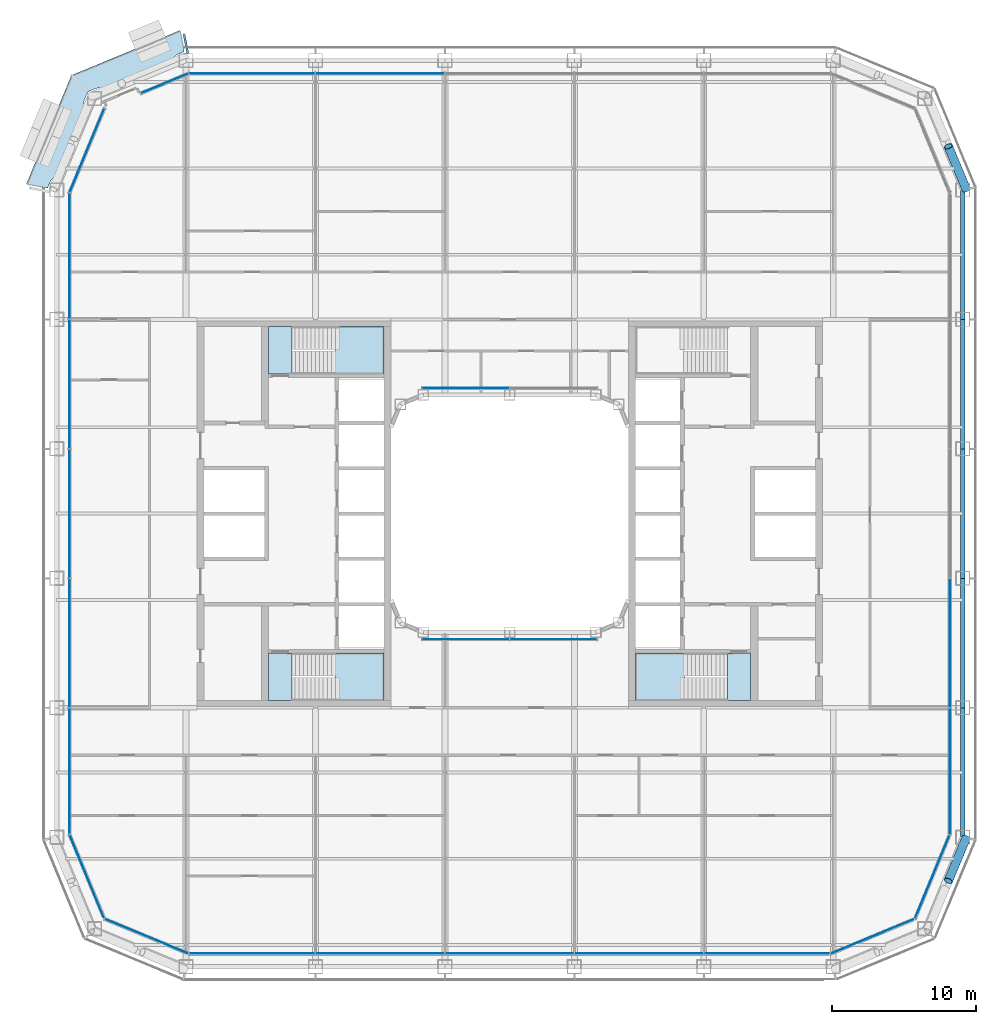
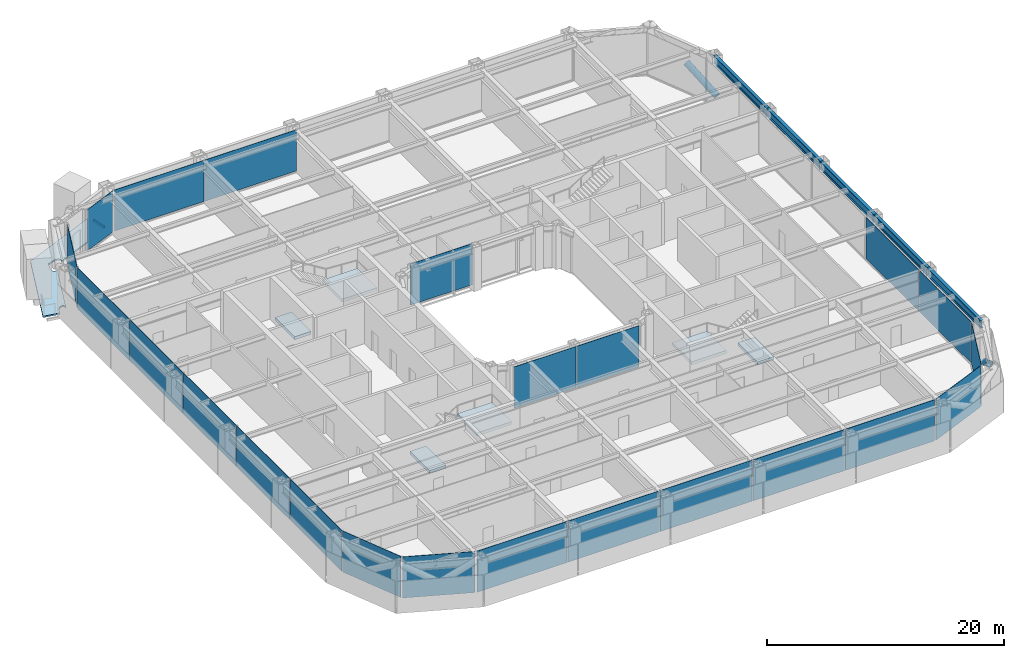
# One storey, part 11 of 28: 23 plates, 7 slabs, 6 beams, 2 members, 15 elements without a shape of their own.
"""IFC4 building model written with IfcOpenShell, lengths in metres."""

from ifc_helpers import new_model, si_unit, direction, frame, origin, origin_2d, place, context, subcontext, project, spatial, polyline, rectangle, hollow_rectangle, hollow_circle, i_section, outline, extrude, material, layer, layer_set, material_profile, profile_set, type_object, element, aggregate, save


model = new_model("IFC4")

# Units and contexts
model_context = context("Model", 3, precision=1e-05, world=origin(), true_north=direction((0.0, 1.0)))
body_context = subcontext(model_context, "Body", "Model", "MODEL_VIEW")
ifc_project = project(units=[si_unit("LENGTHUNIT", "METRE"), si_unit("AREAUNIT", "SQUARE_METRE"), si_unit("VOLUMEUNIT", "CUBIC_METRE"), si_unit("PLANEANGLEUNIT", "RADIAN"), si_unit("MASSUNIT", "GRAM", prefix="KILO")], contexts=[model_context])

# Site, building, storey
site_placement = place(None, origin())
site = spatial("IfcSite", under=ifc_project, at=site_placement, CompositionType="ELEMENT")
building_placement = place(site_placement, origin())
building = spatial("IfcBuilding", under=site, at=building_placement, Name="Siwar Civic Tower", CompositionType="ELEMENT")
storey_placement = place(building_placement, frame((0.0, 0.0, 85.199951171875)))
storey = spatial("IfcBuildingStorey", under=building, at=storey_placement, Name="L18", CompositionType="ELEMENT", Elevation=85.199951171875)

# Beam
ifc_material_1 = material(Name="Steel S355", Category="steel")
ifc_material_profile_1 = material_profile(ifc_material_1, hollow_rectangle(XDim=0.14990234375, YDim=0.25, WallThickness=0.010009765625, at=origin_2d()), Name="RHS250x150x10")
ifc_profile_set_1 = profile_set([ifc_material_profile_1], Name="Steel S355")
beam_type_1 = type_object("IfcBeamType", Name="ENV-BALCONY ARM", PredefinedType="BEAM", material=ifc_profile_set_1)
beam_placement = place(storey_placement, frame((-22.375244140625, 32.0, -0.27490234375), z_axis=(-0.194977678848, 0.980807679798, 0.0), x_axis=(-0.980807679798, -0.194977678848, 0.0)))
element("IfcBeam", 1, at=beam_placement, inside=storey, type_object=beam_type_1, Name="Balcony cantilever beam NW 1", PredefinedType="BEAM", context=body_context, shape_type="SweptSolid", body=[
    extrude(hollow_rectangle(XDim=0.14990234375, YDim=0.25, WallThickness=0.010009765625, at=origin_2d()), origin(), (0.0, 0.0, 1.0), 1.361083984375),
])

# Members
ifc_material_2 = material(Name="Steel S355", Category="steel")
ifc_material_profile_2 = material_profile(ifc_material_2, hollow_circle(Radius=0.304931640625, WallThickness=0.030029296875, at=origin_2d()), Name="CHS610x30")
ifc_profile_set_2 = profile_set([ifc_material_profile_2], Name="Steel S355")
member_type = type_object("IfcMemberType", Name="STR-BR-CHS610x30", PredefinedType="BRACE", material=ifc_profile_set_2)
for number, where, z_axis, x_axis, name in (
    (2, (31.7451171875, -22.548828125, 0.0), (-0.323882123145, -0.777533059308, 0.539020140617), (0.923114847559, -0.384524353215, 0.0), "L18/brc/ASE1-17-0-2"),
    (3, (31.7451171875, 22.548828125, 0.0), (-0.323882123145, 0.777533059308, 0.539020140617), (-0.923114847559, -0.384524353215, 0.0), "L18/brc/ANE1-17-0-4"),
):
    element("IfcMember", number, at=place(storey_placement, frame(where, z_axis=z_axis, x_axis=x_axis)), inside=storey, type_object=member_type, Name=name, PredefinedType="BRACE", context=body_context, shape_type="SweptSolid", body=[
        extrude(hollow_circle(Radius=0.304931640625, WallThickness=0.030029296875, at=origin_2d()), origin(), (0.0, 0.0, 1.0), 3.843505859375),
    ])

# Beams
ifc_material_3 = material(Name="Steel S355", Category="steel")
ifc_material_profile_3 = material_profile(ifc_material_3, i_section(OverallWidth=0.302978515625, OverallDepth=0.81396484375, WebThickness=0.02099609375, FlangeThickness=0.0400390625, FilletRadius=0.030029296875, at=origin_2d()), Name="HEM800")
ifc_profile_set_3 = profile_set([ifc_material_profile_3], Name="Steel S355")
beam_type_2 = type_object("IfcBeamType", Name="STR-SB-HEM800", PredefinedType="BEAM", material=ifc_profile_set_3)
for number, where, z_axis, x_axis, name in (
    (4, (31.5, -22.5, 3.943115234375), (0.0, 1.0, 0.0), (-1.0, 0.0, 0.0), "L18/bm/SE-0"),
    (5, (31.5, -13.5, 3.943115234375), (0.0, 1.0, 0.0), (-1.0, 0.0, 0.0), "L18/bm/SE-1"),
    (6, (31.5, -4.5, 3.943115234375), (0.0, 1.0, 0.0), (-1.0, 0.0, 0.0), "L18/bm/SE-2"),
    (7, (31.5, 4.5, 3.943115234375), (0.0, 1.0, 0.0), (-1.0, 0.0, 0.0), "L18/bm/SE-3"),
    (8, (31.5, 13.5, 3.943115234375), (0.0, 1.0, 0.0), (-1.0, 0.0, 0.0), "L18/bm/SE-4"),
):
    element("IfcBeam", number, at=place(storey_placement, frame(where, z_axis=z_axis, x_axis=x_axis)), inside=storey, type_object=beam_type_2, Name=name, PredefinedType="BEAM", context=body_context, shape_type="SweptSolid", body=[
        extrude(i_section(OverallWidth=0.302978515625, OverallDepth=0.81396484375, WebThickness=0.02099609375, FlangeThickness=0.0400390625, FilletRadius=0.030029296875, at=origin_2d()), origin(), (0.0, 0.0, 1.0), 9.0),
    ])

# Stair, slabs
ifc_material_4 = material(Name="Concrete C40/50", Category="concrete")
stair_type = type_object("IfcStairType", Name="CORE-STAIR", PredefinedType="TWO_STRAIGHT_RUN_STAIR", material=ifc_material_4)
stair_1_placement = place(storey_placement, origin())
stair_1 = element("IfcStair", 9, at=stair_1_placement, inside=storey, type_object=stair_type, Name="Exit stair ST1", PredefinedType="TWO_STRAIGHT_RUN_STAIR")
ifc_material_5 = material(Name="Concrete C40/50", Category="concrete")
ifc_layer_1 = layer(ifc_material_5, 0.300048828125)
ifc_layer_set_1 = layer_set([ifc_layer_1], Name="Concrete C40/50")
slab_type_1 = type_object("IfcSlabType", Name="CORE-STAIR-LANDING", PredefinedType="LANDING", material=ifc_layer_set_1)
slab_1_placement = place(storey_placement, frame((0.0, 0.0, -0.300048828125)))
slab_1 = element("IfcSlab", 10, at=slab_1_placement, type_object=slab_type_1, Name="ST1 landing 1", PredefinedType="LANDING", context=body_context, shape_type="SweptSolid", body=[
    extrude(outline(polyline([(-15.14990234375, 13.0), (-16.75, 13.0), (-16.75, 9.699951171875), (-15.14990234375, 9.699951171875), (-15.14990234375, 13.0)])), origin(), (0.0, 0.0, 1.0), 0.300048828125),
])
slab_2_placement = place(storey_placement, frame((0.0, 0.0, 1.949951171875)))
slab_2 = element("IfcSlab", 11, at=slab_2_placement, type_object=slab_type_1, Name="ST1 landing 2", PredefinedType="LANDING", context=body_context, shape_type="SweptSolid", body=[
    extrude(outline(polyline([(-8.75, 13.0), (-12.139892578125, 13.0), (-12.139892578125, 9.699951171875), (-8.75, 9.699951171875), (-8.75, 13.0)])), origin(), (0.0, 0.0, 1.0), 0.300048828125),
])
aggregate(stair_1, [slab_1, slab_2])

stair_2_placement = place(storey_placement, origin())
stair_2 = element("IfcStair", 12, at=stair_2_placement, inside=storey, type_object=stair_type, Name="Exit stair ST2", PredefinedType="TWO_STRAIGHT_RUN_STAIR")
slab_3_placement = place(storey_placement, frame((0.0, 0.0, -0.300048828125)))
slab_3 = element("IfcSlab", 13, at=slab_3_placement, type_object=slab_type_1, Name="ST2 landing 1", PredefinedType="LANDING", context=body_context, shape_type="SweptSolid", body=[
    extrude(outline(polyline([(-15.14990234375, -9.699951171875), (-16.75, -9.699951171875), (-16.75, -13.0), (-15.14990234375, -13.0), (-15.14990234375, -9.699951171875)])), origin(), (0.0, 0.0, 1.0), 0.300048828125),
])
slab_4_placement = place(storey_placement, frame((0.0, 0.0, 1.949951171875)))
slab_4 = element("IfcSlab", 14, at=slab_4_placement, type_object=slab_type_1, Name="ST2 landing 2", PredefinedType="LANDING", context=body_context, shape_type="SweptSolid", body=[
    extrude(outline(polyline([(-8.75, -9.699951171875), (-12.139892578125, -9.699951171875), (-12.139892578125, -13.0), (-8.75, -13.0), (-8.75, -9.699951171875)])), origin(), (0.0, 0.0, 1.0), 0.300048828125),
])
aggregate(stair_2, [slab_3, slab_4])

stair_3_placement = place(storey_placement, origin())
stair_3 = element("IfcStair", 15, at=stair_3_placement, inside=storey, type_object=stair_type, Name="Exit stair ST4", PredefinedType="TWO_STRAIGHT_RUN_STAIR")
slab_5_placement = place(storey_placement, frame((0.0, 0.0, -0.300048828125)))
slab_5 = element("IfcSlab", 16, at=slab_5_placement, type_object=slab_type_1, Name="ST4 landing 1", PredefinedType="LANDING", context=body_context, shape_type="SweptSolid", body=[
    extrude(outline(polyline([(15.14990234375, -13.0), (16.75, -13.0), (16.75, -9.699951171875), (15.14990234375, -9.699951171875), (15.14990234375, -13.0)])), origin(), (0.0, 0.0, 1.0), 0.300048828125),
])
slab_6_placement = place(storey_placement, frame((0.0, 0.0, 1.949951171875)))
slab_6 = element("IfcSlab", 17, at=slab_6_placement, type_object=slab_type_1, Name="ST4 landing 2", PredefinedType="LANDING", context=body_context, shape_type="SweptSolid", body=[
    extrude(outline(polyline([(8.75, -13.0), (12.139892578125, -13.0), (12.139892578125, -9.699951171875), (8.75, -9.699951171875), (8.75, -13.0)])), origin(), (0.0, 0.0, 1.0), 0.300048828125),
])
aggregate(stair_3, [slab_5, slab_6])

# Slab
ifc_material_6 = material(Name="Concrete C40/50", Category="concrete")
ifc_layer_2 = layer(ifc_material_6, 0.14990234375)
ifc_layer_set_2 = layer_set([ifc_layer_2], Name="Concrete C40/50")
slab_type_2 = type_object("IfcSlabType", Name="ENV-BALCONY DECK 150", PredefinedType="FLOOR", material=ifc_layer_set_2)
slab_7_placement = place(storey_placement, frame((0.0, 0.0, -0.1494140625)))
element("IfcSlab", 18, at=slab_7_placement, inside=storey, type_object=slab_type_2, Name="Tree balcony deck NW", PredefinedType="FLOOR", context=body_context, shape_type="SweptSolid", body=[
    extrude(outline(polyline([(-29.19189453125, 29.38916015625), (-29.186767578125, 29.3916015625), (-29.186767578125, 29.3916015625), (-29.17138671875, 29.39794921875), (-29.14794921875, 29.40771484375), (-28.9306640625, 29.498291015625), (-28.891845703125, 29.514404296875), (-28.884033203125, 29.517578125), (-28.881591796875, 29.5185546875), (-28.814208984375, 29.5439453125), (-28.80908203125, 29.545654296875), (-28.739990234375, 29.56591796875), (-28.73486328125, 29.567138671875), (-28.66455078125, 29.58251953125), (-28.6572265625, 29.583984375), (-28.59375, 29.591064453125), (-28.59130859375, 29.59130859375), (-28.51953125, 29.59716796875), (-28.51318359375, 29.597412109375), (-28.506591796875, 29.59716796875), (-28.45068359375, 29.592041015625), (-28.445068359375, 29.59130859375), (-28.389404296875, 29.58203125), (-28.38427734375, 29.5810546875), (-28.32958984375, 29.56787109375), (-28.3232421875, 29.566162109375), (-28.3173828125, 29.56396484375), (-28.271484375, 29.544189453125), (-28.264404296875, 29.540771484375), (-28.2578125, 29.53662109375), (-28.221435546875, 29.5107421875), (-28.216552734375, 29.507080078125), (-28.2119140625, 29.502685546875), (-28.20751953125, 29.498291015625), (-28.180908203125, 29.467041015625), (-28.1767578125, 29.46142578125), (-28.173095703125, 29.45556640625), (-28.169921875, 29.449462890625), (-28.1533203125, 29.413330078125), (-28.151123046875, 29.408447265625), (-28.13720703125, 29.37109375), (-28.135009765625, 29.364501953125), (-28.133544921875, 29.35791015625), (-28.132568359375, 29.35107421875), (-28.129150390625, 29.31005859375), (-28.12890625, 29.3037109375), (-28.129150390625, 29.297607421875), (-28.1298828125, 29.29150390625), (-28.137451171875, 29.247314453125), (-28.13916015625, 29.23974609375), (-28.1416015625, 29.232177734375), (-28.159912109375, 29.185791015625), (-28.16259765625, 29.179931640625), (-28.16552734375, 29.17431640625), (-28.182861328125, 29.14599609375), (-23.210693359375, 31.20556640625), (-23.260986328125, 31.217529296875), (-23.26708984375, 31.21923828125), (-23.273193359375, 31.2216796875), (-23.31884765625, 31.2412109375), (-23.325927734375, 31.244873046875), (-23.332763671875, 31.2490234375), (-23.369140625, 31.274658203125), (-23.3740234375, 31.278564453125), (-23.378662109375, 31.28271484375), (-23.3828125, 31.287353515625), (-23.40966796875, 31.318603515625), (-23.413818359375, 31.323974609375), (-23.41748046875, 31.329833984375), (-23.420654296875, 31.3359375), (-23.437255859375, 31.3720703125), (-23.439453125, 31.376953125), (-23.453369140625, 31.414306640625), (-23.45556640625, 31.4208984375), (-23.45703125, 31.427734375), (-23.4580078125, 31.4345703125), (-23.46142578125, 31.4755859375), (-23.461669921875, 31.481689453125), (-23.461181640625, 31.488037109375), (-23.46044921875, 31.494140625), (-23.453125, 31.5380859375), (-23.451416015625, 31.5458984375), (-23.448974609375, 31.55322265625), (-23.4306640625, 31.599609375), (-23.427978515625, 31.60546875), (-23.4248046875, 31.611083984375), (-23.3955078125, 31.659423828125), (-23.392578125, 31.66357421875), (-23.360107421875, 31.709716796875), (-23.353515625, 31.717529296875), (-23.309814453125, 31.764404296875), (-23.30615234375, 31.76806640625), (-23.25927734375, 31.8115234375), (-23.255126953125, 31.815185546875), (-23.205322265625, 31.85498046875), (-23.198974609375, 31.859619140625), (-23.138671875, 31.898681640625), (-23.134033203125, 31.9013671875), (-23.07080078125, 31.93603515625), (-23.06591796875, 31.9384765625), (-23.0, 31.968505859375), (-23.0, 32.0), (-22.92529296875, 32.0), (-22.70263671875, 32.0927734375), (-22.69482421875, 32.095947265625), (-22.69482421875, 32.095947265625), (-22.688232421875, 32.098388671875), (-22.662109375, 32.1064453125), (-22.6552734375, 32.108154296875), (-22.648193359375, 32.109375), (-22.621826171875, 32.1123046875), (-22.917724609375, 33.60009765625), (-30.47119140625, 30.47119140625), (-33.60009765625, 22.917724609375), (-32.1083984375, 22.62109375), (-32.1083984375, 22.6259765625), (-32.107421875, 22.6484375), (-32.107421875, 22.649658203125), (-32.107421875, 22.6513671875), (-32.10693359375, 22.655029296875), (-32.106689453125, 22.656982421875), (-32.1064453125, 22.65771484375), (-32.1064453125, 22.658447265625), (-32.104736328125, 22.66552734375), (-32.098876953125, 22.686279296875), (-32.095947265625, 22.69482421875), (-32.0927734375, 22.70263671875), (-32.085693359375, 22.719970703125), (-32.0830078125, 22.72607421875), (-32.0732421875, 22.749267578125), (-32.0693359375, 22.7587890625), (-32.0, 22.92529296875), (-32.0, 23.0), (-31.968505859375, 23.0), (-31.9384765625, 23.06591796875), (-31.93603515625, 23.07080078125), (-31.9013671875, 23.134033203125), (-31.898681640625, 23.138671875), (-31.859619140625, 23.198974609375), (-31.85498046875, 23.205322265625), (-31.815185546875, 23.255126953125), (-31.8115234375, 23.25927734375), (-31.76806640625, 23.30615234375), (-31.764404296875, 23.309814453125), (-31.717529296875, 23.353515625), (-31.709716796875, 23.360107421875), (-31.66357421875, 23.392578125), (-31.659423828125, 23.3955078125), (-31.611083984375, 23.4248046875), (-31.60546875, 23.427978515625), (-31.599609375, 23.4306640625), (-31.55322265625, 23.448974609375), (-31.5458984375, 23.451416015625), (-31.5380859375, 23.453125), (-31.494140625, 23.46044921875), (-31.488037109375, 23.461181640625), (-31.481689453125, 23.461669921875), (-31.4755859375, 23.46142578125), (-31.4345703125, 23.4580078125), (-31.427734375, 23.45703125), (-31.4208984375, 23.45556640625), (-31.414306640625, 23.453369140625), (-31.376953125, 23.439453125), (-31.3720703125, 23.437255859375), (-31.3359375, 23.420654296875), (-31.329833984375, 23.41748046875), (-31.323974609375, 23.413818359375), (-31.318603515625, 23.40966796875), (-31.287353515625, 23.3828125), (-31.28271484375, 23.378662109375), (-31.278564453125, 23.3740234375), (-31.274658203125, 23.369140625), (-31.2490234375, 23.332763671875), (-31.244873046875, 23.325927734375), (-31.2412109375, 23.31884765625), (-31.2216796875, 23.273193359375), (-31.21923828125, 23.26708984375), (-31.217529296875, 23.260986328125), (-31.20556640625, 23.210693359375), (-29.14599609375, 28.182861328125), (-29.17431640625, 28.16552734375), (-29.179931640625, 28.16259765625), (-29.185791015625, 28.159912109375), (-29.232177734375, 28.1416015625), (-29.23974609375, 28.13916015625), (-29.247314453125, 28.137451171875), (-29.29150390625, 28.1298828125), (-29.297607421875, 28.129150390625), (-29.3037109375, 28.12890625), (-29.31005859375, 28.129150390625), (-29.35107421875, 28.132568359375), (-29.35791015625, 28.133544921875), (-29.364501953125, 28.135009765625), (-29.37109375, 28.13720703125), (-29.408447265625, 28.151123046875), (-29.413330078125, 28.1533203125), (-29.449462890625, 28.169921875), (-29.45556640625, 28.173095703125), (-29.46142578125, 28.1767578125), (-29.467041015625, 28.180908203125), (-29.498291015625, 28.20751953125), (-29.502685546875, 28.2119140625), (-29.507080078125, 28.216552734375), (-29.5107421875, 28.221435546875), (-29.53662109375, 28.2578125), (-29.540771484375, 28.264404296875), (-29.544189453125, 28.271484375), (-29.56396484375, 28.3173828125), (-29.566162109375, 28.3232421875), (-29.56787109375, 28.32958984375), (-29.5810546875, 28.38427734375), (-29.58203125, 28.389404296875), (-29.59130859375, 28.445068359375), (-29.592041015625, 28.45068359375), (-29.59716796875, 28.506591796875), (-29.597412109375, 28.51318359375), (-29.59716796875, 28.51953125), (-29.59130859375, 28.59130859375), (-29.591064453125, 28.59375), (-29.583984375, 28.6572265625), (-29.58251953125, 28.66455078125), (-29.567138671875, 28.73486328125), (-29.56591796875, 28.739990234375), (-29.545654296875, 28.80908203125), (-29.5439453125, 28.814208984375), (-29.5185546875, 28.881591796875), (-29.517578125, 28.884033203125), (-29.514404296875, 28.891845703125), (-29.498291015625, 28.9306640625), (-29.424560546875, 29.107666015625), (-29.420654296875, 29.116943359375), (-29.40771484375, 29.14794921875), (-29.39794921875, 29.17138671875), (-29.3916015625, 29.186767578125), (-29.387451171875, 29.195068359375), (-29.376953125, 29.2138671875), (-29.373046875, 29.219970703125), (-29.37255859375, 29.220703125), (-29.3720703125, 29.22119140625), (-29.370849609375, 29.22265625), (-29.36865234375, 29.2255859375), (-29.367431640625, 29.226806640625), (-29.36669921875, 29.227783203125), (-29.364013671875, 29.230712890625), (-29.364013671875, 29.364013671875), (-29.238037109375, 29.364013671875), (-29.233154296875, 29.367431640625), (-29.2236328125, 29.373046875), (-29.19189453125, 29.38916015625)])), origin(), (0.0, 0.0, 1.0), 0.1494140625),
])

# Curtain wall, plates
ifc_material_7 = material(Name="Aluminium and glass", Category="aluminium")
ifc_layer_3 = layer(ifc_material_7, 0.219970703125)
ifc_layer_set_3 = layer_set([ifc_layer_3], Name="Aluminium and glass")
curtain_wall_type_1 = type_object("IfcCurtainWallType", Name="ENV-CW-A", PredefinedType="NOTDEFINED", material=ifc_layer_set_3)
curtain_wall_1_placement = place(storey_placement, origin())
curtain_wall_1 = element("IfcCurtainWall", 19, at=curtain_wall_1_placement, inside=storey, type_object=curtain_wall_type_1, Name="Curtain wall A S", PredefinedType="NOTDEFINED")
ifc_material_8 = material(Name="Glass clear laminated", Category="glass")
ifc_layer_4 = layer(ifc_material_8, 0.035888671875)
ifc_layer_set_4 = layer_set([ifc_layer_4], Name="Glass clear laminated")
plate_type_1 = type_object("IfcPlateType", Name="ENV-PANEL-A", PredefinedType="CURTAIN_PANEL", material=ifc_layer_set_4)
plate_1_placement = place(storey_placement, frame((-17.910400390625, -30.60009765625, 0.1201171875), z_axis=(0.0, 0.0, 1.0), x_axis=(1.0, 0.0, 0.0)))
plate_1 = element("IfcPlate", 20, at=plate_1_placement, type_object=plate_type_1, Name="Curtain panel A S 1", PredefinedType="CURTAIN_PANEL", context=body_context, shape_type="SweptSolid", body=[
    extrude(rectangle(XDim=8.7509765625, YDim=0.035888671875, at=origin_2d()), origin(), (0.0, 0.0, 1.0), 4.22998046875),
])
plate_2_placement = place(storey_placement, frame((-9.0, -30.60009765625, 0.1201171875), z_axis=(0.0, 0.0, 1.0), x_axis=(1.0, 0.0, 0.0)))
plate_2 = element("IfcPlate", 21, at=plate_2_placement, type_object=plate_type_1, Name="Curtain panel A S 2", PredefinedType="CURTAIN_PANEL", context=body_context, shape_type="SweptSolid", body=[
    extrude(rectangle(XDim=8.929931640625, YDim=0.035888671875, at=origin_2d()), origin(), (0.0, 0.0, 1.0), 4.22998046875),
])
plate_3_placement = place(storey_placement, frame((0.0, -30.60009765625, 0.1201171875), z_axis=(0.0, 0.0, 1.0), x_axis=(1.0, 0.0, 0.0)))
plate_3 = element("IfcPlate", 22, at=plate_3_placement, type_object=plate_type_1, Name="Curtain panel A S 3", PredefinedType="CURTAIN_PANEL", context=body_context, shape_type="SweptSolid", body=[
    extrude(rectangle(XDim=8.929931640625, YDim=0.035888671875, at=origin_2d()), origin(), (0.0, 0.0, 1.0), 4.22998046875),
])
plate_4_placement = place(storey_placement, frame((9.0, -30.60009765625, 0.1201171875), z_axis=(0.0, 0.0, 1.0), x_axis=(1.0, 0.0, 0.0)))
plate_4 = element("IfcPlate", 23, at=plate_4_placement, type_object=plate_type_1, Name="Curtain panel A S 4", PredefinedType="CURTAIN_PANEL", context=body_context, shape_type="SweptSolid", body=[
    extrude(rectangle(XDim=8.929931640625, YDim=0.035888671875, at=origin_2d()), origin(), (0.0, 0.0, 1.0), 4.22998046875),
])
plate_5_placement = place(storey_placement, frame((17.86669921875, -30.60009765625, 0.1201171875), z_axis=(0.0, 0.0, 1.0), x_axis=(1.0, 0.0, 0.0)))
plate_5 = element("IfcPlate", 24, at=plate_5_placement, type_object=plate_type_1, Name="Curtain panel A S 5", PredefinedType="CURTAIN_PANEL", context=body_context, shape_type="SweptSolid", body=[
    extrude(rectangle(XDim=8.663330078125, YDim=0.035888671875, at=origin_2d()), origin(), (0.0, 0.0, 1.0), 4.22998046875),
])
aggregate(curtain_wall_1, [plate_1, plate_2, plate_3, plate_4, plate_5])

curtain_wall_2_placement = place(storey_placement, origin())
curtain_wall_2 = element("IfcCurtainWall", 25, at=curtain_wall_2_placement, inside=storey, type_object=curtain_wall_type_1, Name="Curtain wall A E", PredefinedType="NOTDEFINED")
plate_6_placement = place(storey_placement, frame((30.60009765625, -17.910400390625, 0.1201171875), z_axis=(0.0, 0.0, 1.0), x_axis=(0.0, 1.0, 0.0)))
plate_6 = element("IfcPlate", 26, at=plate_6_placement, type_object=plate_type_1, Name="Curtain panel A E 1", PredefinedType="CURTAIN_PANEL", context=body_context, shape_type="SweptSolid", body=[
    extrude(rectangle(XDim=8.7509765625, YDim=0.035888671875, at=origin_2d()), origin(), (0.0, 0.0, 1.0), 4.22998046875),
])
plate_7_placement = place(storey_placement, frame((30.60009765625, -9.0, 0.1201171875), z_axis=(0.0, 0.0, 1.0), x_axis=(0.0, 1.0, 0.0)))
plate_7 = element("IfcPlate", 27, at=plate_7_placement, type_object=plate_type_1, Name="Curtain panel A E 2", PredefinedType="CURTAIN_PANEL", context=body_context, shape_type="SweptSolid", body=[
    extrude(rectangle(XDim=8.929931640625, YDim=0.035888671875, at=origin_2d()), origin(), (0.0, 0.0, 1.0), 4.22998046875),
])
aggregate(curtain_wall_2, [plate_6, plate_7])

curtain_wall_3_placement = place(storey_placement, origin())
curtain_wall_3 = element("IfcCurtainWall", 28, at=curtain_wall_3_placement, inside=storey, type_object=curtain_wall_type_1, Name="Curtain wall A N", PredefinedType="NOTDEFINED")
plate_8_placement = place(storey_placement, frame((-9.0, 30.60009765625, 0.1201171875), z_axis=(0.0, 0.0, 1.0), x_axis=(-1.0, 0.0, 0.0)))
plate_8 = element("IfcPlate", 29, at=plate_8_placement, type_object=plate_type_1, Name="Curtain panel A N 4", PredefinedType="CURTAIN_PANEL", context=body_context, shape_type="SweptSolid", body=[
    extrude(rectangle(XDim=8.929931640625, YDim=0.035888671875, at=origin_2d()), origin(), (0.0, 0.0, 1.0), 4.22998046875),
])
plate_9_placement = place(storey_placement, frame((-17.86669921875, 30.60009765625, 0.1201171875), z_axis=(0.0, 0.0, 1.0), x_axis=(-1.0, 0.0, 0.0)))
plate_9 = element("IfcPlate", 30, at=plate_9_placement, type_object=plate_type_1, Name="Curtain panel A N 5", PredefinedType="CURTAIN_PANEL", context=body_context, shape_type="SweptSolid", body=[
    extrude(rectangle(XDim=8.663330078125, YDim=0.035888671875, at=origin_2d()), origin(), (0.0, 0.0, 1.0), 4.22998046875),
])
aggregate(curtain_wall_3, [plate_8, plate_9])

curtain_wall_4_placement = place(storey_placement, origin())
curtain_wall_4 = element("IfcCurtainWall", 31, at=curtain_wall_4_placement, inside=storey, type_object=curtain_wall_type_1, Name="Curtain wall A W", PredefinedType="NOTDEFINED")
plate_10_placement = place(storey_placement, frame((-30.60009765625, 17.910400390625, 0.1201171875), z_axis=(0.0, 0.0, 1.0), x_axis=(0.0, -1.0, 0.0)))
plate_10 = element("IfcPlate", 32, at=plate_10_placement, type_object=plate_type_1, Name="Curtain panel A W 1", PredefinedType="CURTAIN_PANEL", context=body_context, shape_type="SweptSolid", body=[
    extrude(rectangle(XDim=8.7509765625, YDim=0.035888671875, at=origin_2d()), origin(), (0.0, 0.0, 1.0), 4.22998046875),
])
plate_11_placement = place(storey_placement, frame((-30.60009765625, 9.0, 0.1201171875), z_axis=(0.0, 0.0, 1.0), x_axis=(0.0, -1.0, 0.0)))
plate_11 = element("IfcPlate", 33, at=plate_11_placement, type_object=plate_type_1, Name="Curtain panel A W 2", PredefinedType="CURTAIN_PANEL", context=body_context, shape_type="SweptSolid", body=[
    extrude(rectangle(XDim=8.929931640625, YDim=0.035888671875, at=origin_2d()), origin(), (0.0, 0.0, 1.0), 4.22998046875),
])
plate_12_placement = place(storey_placement, frame((-30.60009765625, 0.0, 0.1201171875), z_axis=(0.0, 0.0, 1.0), x_axis=(0.0, -1.0, 0.0)))
plate_12 = element("IfcPlate", 34, at=plate_12_placement, type_object=plate_type_1, Name="Curtain panel A W 3", PredefinedType="CURTAIN_PANEL", context=body_context, shape_type="SweptSolid", body=[
    extrude(rectangle(XDim=8.929931640625, YDim=0.035888671875, at=origin_2d()), origin(), (0.0, 0.0, 1.0), 4.22998046875),
])
plate_13_placement = place(storey_placement, frame((-30.60009765625, -9.0, 0.1201171875), z_axis=(0.0, 0.0, 1.0), x_axis=(0.0, -1.0, 0.0)))
plate_13 = element("IfcPlate", 35, at=plate_13_placement, type_object=plate_type_1, Name="Curtain panel A W 4", PredefinedType="CURTAIN_PANEL", context=body_context, shape_type="SweptSolid", body=[
    extrude(rectangle(XDim=8.929931640625, YDim=0.035888671875, at=origin_2d()), origin(), (0.0, 0.0, 1.0), 4.22998046875),
])
plate_14_placement = place(storey_placement, frame((-30.60009765625, -17.86669921875, 0.1201171875), z_axis=(0.0, 0.0, 1.0), x_axis=(0.0, -1.0, 0.0)))
plate_14 = element("IfcPlate", 36, at=plate_14_placement, type_object=plate_type_1, Name="Curtain panel A W 5", PredefinedType="CURTAIN_PANEL", context=body_context, shape_type="SweptSolid", body=[
    extrude(rectangle(XDim=8.663330078125, YDim=0.035888671875, at=origin_2d()), origin(), (0.0, 0.0, 1.0), 4.22998046875),
])
aggregate(curtain_wall_4, [plate_10, plate_11, plate_12, plate_13, plate_14])

# Curtain wall, plate
ifc_material_9 = material(Name="Aluminium clad insulated panel", Category="aluminium")
ifc_layer_5 = layer(ifc_material_9, 0.219970703125)
ifc_layer_set_5 = layer_set([ifc_layer_5], Name="Aluminium clad insulated panel")
curtain_wall_type_2 = type_object("IfcCurtainWallType", Name="ENV-CW-AX", PredefinedType="NOTDEFINED", material=ifc_layer_set_5)
curtain_wall_5_placement = place(storey_placement, origin())
curtain_wall_5 = element("IfcCurtainWall", 37, at=curtain_wall_5_placement, inside=storey, type_object=curtain_wall_type_2, Name="Curtain wall A SE1", PredefinedType="NOTDEFINED")
ifc_material_10 = material(Name="Aluminium clad insulated panel", Category="aluminium")
ifc_layer_6 = layer(ifc_material_10, 0.035888671875)
ifc_layer_set_6 = layer_set([ifc_layer_6], Name="Aluminium clad insulated panel")
plate_type_2 = type_object("IfcPlateType", Name="ENV-PANEL-AX", PredefinedType="CURTAIN_PANEL", material=ifc_layer_set_6)
plate_15_placement = place(storey_placement, frame((25.20751953125, -29.404296875, 0.1201171875), z_axis=(0.0, 0.0, 1.0), x_axis=(0.923879532511, 0.382683432365, 0.0)))
plate_15 = element("IfcPlate", 38, at=plate_15_placement, type_object=plate_type_2, Name="Curtain panel A SE1 1", PredefinedType="CURTAIN_PANEL", context=body_context, shape_type="SweptSolid", body=[
    extrude(rectangle(XDim=6.178955078125, YDim=0.035888671875, at=origin_2d()), origin(), (0.0, 0.0, 1.0), 4.22998046875),
])
aggregate(curtain_wall_5, [plate_15])

curtain_wall_6_placement = place(storey_placement, origin())
curtain_wall_6 = element("IfcCurtainWall", 39, at=curtain_wall_6_placement, inside=storey, type_object=curtain_wall_type_2, Name="Curtain wall A SE2", PredefinedType="NOTDEFINED")
plate_16_placement = place(storey_placement, frame((29.370849609375, -25.28857421875, 0.1201171875), z_axis=(0.0, 0.0, 1.0), x_axis=(0.382683432365, 0.923879532511, 0.0)))
plate_16 = element("IfcPlate", 40, at=plate_16_placement, type_object=plate_type_2, Name="Curtain panel A SE2 1", PredefinedType="CURTAIN_PANEL", context=body_context, shape_type="SweptSolid", body=[
    extrude(rectangle(XDim=6.178955078125, YDim=0.035888671875, at=origin_2d()), origin(), (0.0, 0.0, 1.0), 4.22998046875),
])
aggregate(curtain_wall_6, [plate_16])

curtain_wall_7_placement = place(storey_placement, origin())
curtain_wall_7 = element("IfcCurtainWall", 41, at=curtain_wall_7_placement, inside=storey, type_object=curtain_wall_type_2, Name="Curtain wall A NW1", PredefinedType="NOTDEFINED")
plate_17_placement = place(storey_placement, frame((-23.9873046875, 29.90966796875, 0.1201171875), z_axis=(0.0, 0.0, 1.0), x_axis=(-0.923879532511, -0.382683432365, 0.0)))
plate_17 = element("IfcPlate", 42, at=plate_17_placement, type_object=plate_type_2, Name="Curtain panel A NW1 1", PredefinedType="CURTAIN_PANEL", context=body_context, shape_type="SweptSolid", body=[
    extrude(rectangle(XDim=3.537353515625, YDim=0.035888671875, at=origin_2d()), origin(), (0.0, 0.0, 1.0), 4.22998046875),
])
aggregate(curtain_wall_7, [plate_17])

curtain_wall_8_placement = place(storey_placement, origin())
curtain_wall_8 = element("IfcCurtainWall", 43, at=curtain_wall_8_placement, inside=storey, type_object=curtain_wall_type_2, Name="Curtain wall A NW2", PredefinedType="NOTDEFINED")
plate_18_placement = place(storey_placement, frame((-29.370849609375, 25.28857421875, 0.1201171875), z_axis=(0.0, 0.0, 1.0), x_axis=(-0.382683432365, -0.923879532511, 0.0)))
plate_18 = element("IfcPlate", 44, at=plate_18_placement, type_object=plate_type_2, Name="Curtain panel A NW2 1", PredefinedType="CURTAIN_PANEL", context=body_context, shape_type="SweptSolid", body=[
    extrude(rectangle(XDim=6.178955078125, YDim=0.035888671875, at=origin_2d()), origin(), (0.0, 0.0, 1.0), 4.22998046875),
])
aggregate(curtain_wall_8, [plate_18])

curtain_wall_9_placement = place(storey_placement, origin())
curtain_wall_9 = element("IfcCurtainWall", 45, at=curtain_wall_9_placement, inside=storey, type_object=curtain_wall_type_2, Name="Curtain wall A SW1", PredefinedType="NOTDEFINED")
plate_19_placement = place(storey_placement, frame((-29.404296875, -25.20751953125, 0.1201171875), z_axis=(0.0, 0.0, 1.0), x_axis=(0.382683432365, -0.923879532511, 0.0)))
plate_19 = element("IfcPlate", 46, at=plate_19_placement, type_object=plate_type_2, Name="Curtain panel A SW1 1", PredefinedType="CURTAIN_PANEL", context=body_context, shape_type="SweptSolid", body=[
    extrude(rectangle(XDim=6.178955078125, YDim=0.035888671875, at=origin_2d()), origin(), (0.0, 0.0, 1.0), 4.22998046875),
])
aggregate(curtain_wall_9, [plate_19])

curtain_wall_10_placement = place(storey_placement, origin())
curtain_wall_10 = element("IfcCurtainWall", 47, at=curtain_wall_10_placement, inside=storey, type_object=curtain_wall_type_2, Name="Curtain wall A SW2", PredefinedType="NOTDEFINED")
plate_20_placement = place(storey_placement, frame((-25.28857421875, -29.370849609375, 0.1201171875), z_axis=(0.0, 0.0, 1.0), x_axis=(0.923879532511, -0.382683432365, 0.0)))
plate_20 = element("IfcPlate", 48, at=plate_20_placement, type_object=plate_type_2, Name="Curtain panel A SW2 1", PredefinedType="CURTAIN_PANEL", context=body_context, shape_type="SweptSolid", body=[
    extrude(rectangle(XDim=6.178955078125, YDim=0.035888671875, at=origin_2d()), origin(), (0.0, 0.0, 1.0), 4.22998046875),
])
aggregate(curtain_wall_10, [plate_20])

# Curtain wall, plates
ifc_material_11 = material(Name="Aluminium and glass", Category="aluminium")
ifc_layer_7 = layer(ifc_material_11, 0.179931640625)
ifc_layer_set_7 = layer_set([ifc_layer_7], Name="Aluminium and glass")
curtain_wall_type_3 = type_object("IfcCurtainWallType", Name="ENV-CW-W", PredefinedType="NOTDEFINED", material=ifc_layer_set_7)
curtain_wall_11_placement = place(storey_placement, origin())
curtain_wall_11 = element("IfcCurtainWall", 49, at=curtain_wall_11_placement, inside=storey, type_object=curtain_wall_type_3, Name="Curtain wall W WS", PredefinedType="NOTDEFINED")
ifc_material_12 = material(Name="Glass clear laminated", Category="glass")
ifc_layer_8 = layer(ifc_material_12, 0.031982421875)
ifc_layer_set_8 = layer_set([ifc_layer_8], Name="Glass clear laminated")
plate_type_3 = type_object("IfcPlateType", Name="ENV-PANEL-W", PredefinedType="CURTAIN_PANEL", material=ifc_layer_set_8)
plate_21_placement = place(storey_placement, frame((-3.04833984375, -8.735107421875, 0.10009765625), z_axis=(0.0, 0.0, 1.0), x_axis=(1.0, 0.0, 0.0)))
plate_21 = element("IfcPlate", 50, at=plate_21_placement, type_object=plate_type_3, Name="Curtain panel W WS 1", PredefinedType="CURTAIN_PANEL", context=body_context, shape_type="SweptSolid", body=[
    extrude(rectangle(XDim=6.036376953125, YDim=0.031982421875, at=origin_2d()), origin(), (0.0, 0.0, 1.0), 4.25),
])
plate_22_placement = place(storey_placement, frame((3.04833984375, -8.735107421875, 0.10009765625), z_axis=(0.0, 0.0, 1.0), x_axis=(1.0, 0.0, 0.0)))
plate_22 = element("IfcPlate", 51, at=plate_22_placement, type_object=plate_type_3, Name="Curtain panel W WS 2", PredefinedType="CURTAIN_PANEL", context=body_context, shape_type="SweptSolid", body=[
    extrude(rectangle(XDim=6.036376953125, YDim=0.031982421875, at=origin_2d()), origin(), (0.0, 0.0, 1.0), 4.25),
])
aggregate(curtain_wall_11, [plate_21, plate_22])

# Curtain wall, plate
curtain_wall_12_placement = place(storey_placement, origin())
curtain_wall_12 = element("IfcCurtainWall", 52, at=curtain_wall_12_placement, inside=storey, type_object=curtain_wall_type_3, Name="Curtain wall W WN", PredefinedType="NOTDEFINED")
plate_23_placement = place(storey_placement, frame((-3.04833984375, 8.735107421875, 0.10009765625), z_axis=(0.0, 0.0, 1.0), x_axis=(-1.0, 0.0, 0.0)))
plate_23 = element("IfcPlate", 53, at=plate_23_placement, type_object=plate_type_3, Name="Curtain panel W WN 2", PredefinedType="CURTAIN_PANEL", context=body_context, shape_type="SweptSolid", body=[
    extrude(rectangle(XDim=6.036376953125, YDim=0.031982421875, at=origin_2d()), origin(), (0.0, 0.0, 1.0), 4.25),
])
aggregate(curtain_wall_12, [plate_23])

save(model, "model.ifc")
